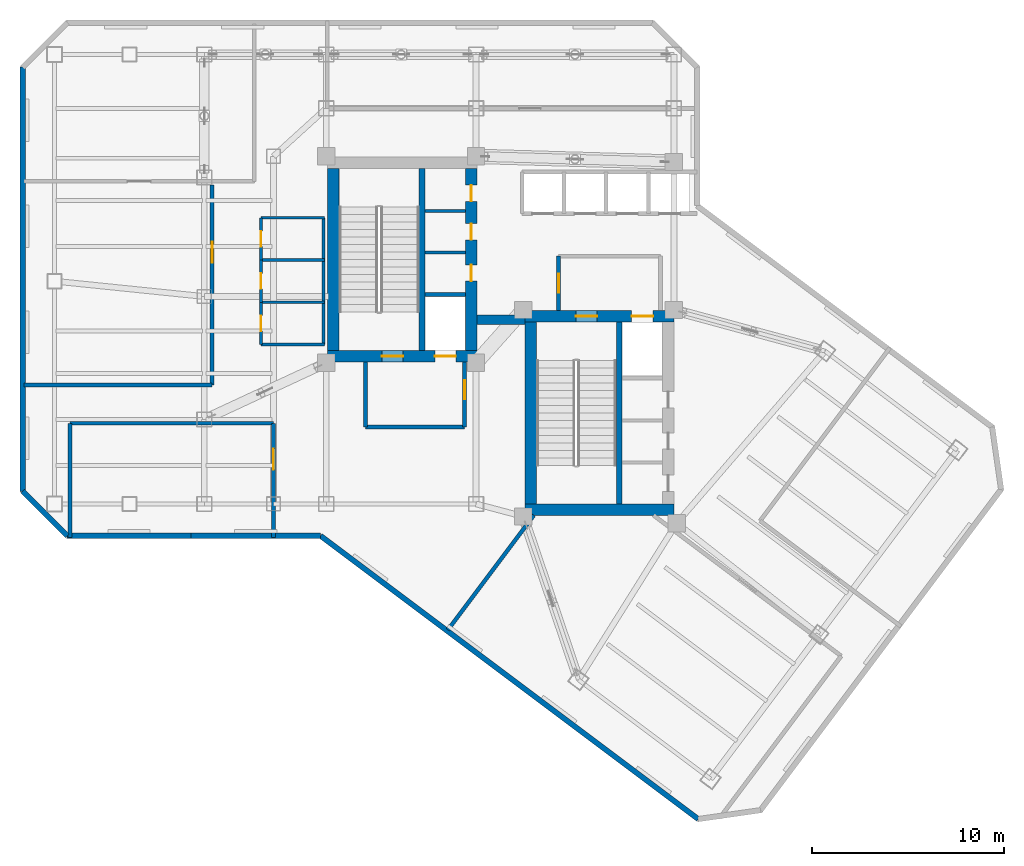
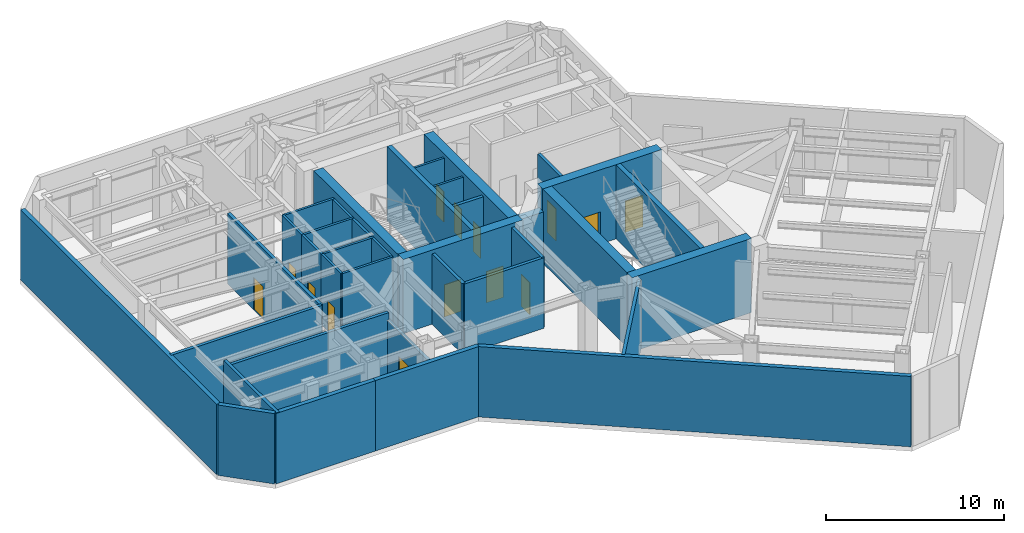
# One storey, part 7 of 12: 35 walls, 14 doors, 14 openings.
"""IFC4 building model written with IfcOpenShell, lengths in metres."""

from ifc_helpers import new_model, si_unit, direction, frame, frame_2d, origin, place, context, subcontext, project, spatial, rectangle, extrude, material, layer, layer_set, type_object, element, fill, save


model = new_model("IFC4")

# Units and contexts
model_context = context("Model", 3, precision=1e-05, world=origin(), true_north=direction((0.0, 1.0)))
body_context = subcontext(model_context, "Body", "Model", "MODEL_VIEW")
ifc_project = project(units=[si_unit("LENGTHUNIT", "METRE"), si_unit("AREAUNIT", "SQUARE_METRE"), si_unit("VOLUMEUNIT", "CUBIC_METRE"), si_unit("PLANEANGLEUNIT", "RADIAN"), si_unit("MASSUNIT", "GRAM", prefix="KILO")], contexts=[model_context])

# Site, building, storey
site_placement = place(None, origin())
site = spatial("IfcSite", under=ifc_project, at=site_placement, CompositionType="ELEMENT")
building_placement = place(site_placement, origin())
building = spatial("IfcBuilding", under=site, at=building_placement, Name="Hatsunagi Terrace Concourse", CompositionType="ELEMENT")
storey_placement = place(building_placement, frame((0.0, 0.0, 181.64990234375)))
storey = spatial("IfcBuildingStorey", under=building, at=storey_placement, Name="L48", CompositionType="ELEMENT", Elevation=181.64990234375)

# Wall
ifc_material_1 = material(Name="Concrete Fc48", Category="concrete")
ifc_layer_1 = layer(ifc_material_1, 0.5)
ifc_layer_set_1 = layer_set([ifc_layer_1], Name="BeltWall_Fc48_500")
wall_type_1 = type_object("IfcWallType", Name="BeltWall_Fc48_500", PredefinedType="SHEAR", material=ifc_layer_set_1)
wall_1_placement = place(storey_placement, frame((33.39990234375, 34.800048828125, 0.0), z_axis=(0.0, 0.0, 1.0), x_axis=(1.0, 0.0, 0.0)))
element("IfcWall", 1, at=wall_1_placement, inside=storey, type_object=wall_type_1, Name="Belt wall core link L48", PredefinedType="SHEAR", context=body_context, shape_type="SweptSolid", body=[
    extrude(rectangle(XDim=2.489990234375, YDim=0.5, at=frame_2d((1.2451171875, 0.0))), origin(), (0.0, 0.0, 1.0), 3.60009765625),
])

# Wall, openings, doors
ifc_material_2 = material(Name="Concrete Fc48", Category="concrete")
ifc_layer_2 = layer(ifc_material_2, 0.60009765625)
ifc_layer_set_2 = layer_set([ifc_layer_2], Name="CoreShearWall_Fc48_600")
wall_type_2 = type_object("IfcWallType", Name="CoreShearWall_Fc48_600", PredefinedType="SHEAR", material=ifc_layer_set_2)
wall_2_placement = place(storey_placement, frame((25.6201171875, 32.889892578125, 0.0), z_axis=(0.0, 0.0, 1.0), x_axis=(1.0, 0.0, 0.0)))
wall_2 = element("IfcWall", 2, at=wall_2_placement, inside=storey, type_object=wall_type_2, Name="Core A Shear Wall S L48", PredefinedType="SHEAR", context=body_context, shape_type="SweptSolid", body=[
    extrude(rectangle(XDim=7.77978515625, YDim=0.60009765625, at=frame_2d((3.889892578125, 0.0))), origin(), (0.0, 0.0, 1.0), 5.10009765625),
])
opening_1_placement = place(wall_2_placement, frame((2.830078125, 0.0, 0.0)))
opening_1 = element("IfcOpeningElement", 3, at=opening_1_placement, cuts=wall_2, Name="Opening DR-110S", PredefinedType="OPENING", context=body_context, shape_type="SweptSolid", body=[
    extrude(rectangle(XDim=1.10009765625, YDim=2.199951171875, at=frame_2d((0.550048828125, 1.10009765625))), frame((0.0, 0.31005859375, 0.0), z_axis=(0.0, -1.0, 0.0), x_axis=(1.0, 0.0, 0.0)), (0.0, 0.0, 1.0), 0.6201171875),
])
opening_2_placement = place(wall_2_placement, frame((5.580078125, 0.0, 0.0)))
opening_2 = element("IfcOpeningElement", 4, at=opening_2_placement, cuts=wall_2, Name="Opening LD-01", PredefinedType="OPENING", context=body_context, shape_type="SweptSolid", body=[
    extrude(rectangle(XDim=1.10009765625, YDim=2.14990234375, at=frame_2d((0.550048828125, 1.074951171875))), frame((0.0, 0.31005859375, 0.0), z_axis=(0.0, -1.0, 0.0), x_axis=(1.0, 0.0, 0.0)), (0.0, 0.0, 1.0), 0.6201171875),
])
ifc_material_3 = material(Name="Stainless steel", Category="steel")
door_type_1 = type_object("IfcDoorType", Name="LiftLandingDoor_LD01", OperationType="SLIDING_TO_LEFT", PredefinedType="USERDEFINED", material=ifc_material_3)
door_1_placement = place(opening_2_placement, origin())
door_1 = element("IfcDoor", 5, at=door_1_placement, inside=storey, type_object=door_type_1, Name="Lift landing door FF-01 L48", ObjectType="SLIDING_LANDING_DOOR", OperationType="SLIDING_TO_LEFT", OverallHeight=2.14990234375, OverallWidth=1.10009765625, PredefinedType="USERDEFINED", context=body_context, shape_type="SweptSolid", body=[
    extrude(rectangle(XDim=1.10009765625, YDim=2.14990234375, at=frame_2d((0.550048828125, 1.074951171875))), frame((0.0, 0.02490234375, 0.0), z_axis=(0.0, -1.0, 0.0), x_axis=(1.0, 0.0, 0.0)), (0.0, 0.0, 1.0), 0.050048828125),
])
fill(opening_2, door_1)
ifc_material_4 = material(Name="Painted steel", Category="steel")
door_type_2 = type_object("IfcDoorType", Name="StairFireDoor_EI60_1100", OperationType="NOTDEFINED", PredefinedType="DOOR", material=ifc_material_4)
door_2_placement = place(opening_1_placement, origin())
door_2 = element("IfcDoor", 6, at=door_2_placement, inside=storey, type_object=door_type_2, Name="Stair ST-A Exit Door L48", OperationType="SINGLE_SWING_LEFT", OverallHeight=2.199951171875, OverallWidth=1.10009765625, PredefinedType="DOOR", context=body_context, shape_type="SweptSolid", body=[
    extrude(rectangle(XDim=1.10009765625, YDim=2.199951171875, at=frame_2d((0.550048828125, 1.10009765625))), frame((0.0, 0.02490234375, 0.0), z_axis=(0.0, -1.0, 0.0), x_axis=(1.0, 0.0, 0.0)), (0.0, 0.0, 1.0), 0.050048828125),
])
fill(opening_1, door_2)

# Wall
wall_3_placement = place(storey_placement, frame((25.919921875, 33.18994140625, 0.0), z_axis=(0.0, 0.0, 1.0), x_axis=(0.0, 1.0, 0.0)))
element("IfcWall", 7, at=wall_3_placement, inside=storey, type_object=wall_type_2, Name="Core A Shear Wall W L48", PredefinedType="SHEAR", context=body_context, shape_type="SweptSolid", body=[
    extrude(rectangle(XDim=9.47998046875, YDim=0.60009765625, at=frame_2d((4.739990234375, 0.0))), origin(), (0.0, 0.0, 1.0), 5.10009765625),
])

# Wall, openings, doors
wall_4_placement = place(storey_placement, frame((33.10009765625, 33.18994140625, 0.0), z_axis=(0.0, 0.0, 1.0), x_axis=(0.0, 1.0, 0.0)))
wall_4 = element("IfcWall", 8, at=wall_4_placement, inside=storey, type_object=wall_type_2, Name="Core A Shear Wall E L48", PredefinedType="SHEAR", context=body_context, shape_type="SweptSolid", body=[
    extrude(rectangle(XDim=9.47998046875, YDim=0.60009765625, at=frame_2d((4.739990234375, 0.0))), origin(), (0.0, 0.0, 1.0), 5.10009765625),
])
opening_3_placement = place(wall_4_placement, frame((3.610107421875, 0.0, 0.0)))
opening_3 = element("IfcOpeningElement", 9, at=opening_3_placement, cuts=wall_4, Name="Opening DR-085", PredefinedType="OPENING", context=body_context, shape_type="SweptSolid", body=[
    extrude(rectangle(XDim=0.85009765625, YDim=2.080078125, at=frame_2d((0.425048828125, 1.0400390625))), frame((0.0, 0.31005859375, 0.0), z_axis=(0.0, -1.0, 0.0), x_axis=(1.0, 0.0, 0.0)), (0.0, 0.0, 1.0), 0.6201171875),
])
opening_4_placement = place(wall_4_placement, frame((5.760009765625, 0.0, 0.0)))
opening_4 = element("IfcOpeningElement", 10, at=opening_4_placement, cuts=wall_4, Name="Opening DR-085", PredefinedType="OPENING", context=body_context, shape_type="SweptSolid", body=[
    extrude(rectangle(XDim=0.85009765625, YDim=2.080078125, at=frame_2d((0.425048828125, 1.0400390625))), frame((0.0, 0.31005859375, 0.0), z_axis=(0.0, -1.0, 0.0), x_axis=(1.0, 0.0, 0.0)), (0.0, 0.0, 1.0), 0.6201171875),
])
opening_5_placement = place(wall_4_placement, frame((7.760009765625, 0.0, 0.0)))
opening_5 = element("IfcOpeningElement", 11, at=opening_5_placement, cuts=wall_4, Name="Opening DR-085", PredefinedType="OPENING", context=body_context, shape_type="SweptSolid", body=[
    extrude(rectangle(XDim=0.85009765625, YDim=2.080078125, at=frame_2d((0.425048828125, 1.0400390625))), frame((0.0, 0.31005859375, 0.0), z_axis=(0.0, -1.0, 0.0), x_axis=(1.0, 0.0, 0.0)), (0.0, 0.0, 1.0), 0.6201171875),
])
ifc_material_5 = material(Name="Painted steel", Category="steel")
door_type_3 = type_object("IfcDoorType", Name="RiserAccessDoor_EI60_850", OperationType="NOTDEFINED", PredefinedType="DOOR", material=ifc_material_5)
door_3_placement = place(opening_3_placement, origin())
door_3 = element("IfcDoor", 12, at=door_3_placement, inside=storey, type_object=door_type_3, Name="Core A Riser Door L48-1", OperationType="SINGLE_SWING_LEFT", OverallHeight=2.080078125, OverallWidth=0.85009765625, PredefinedType="DOOR", context=body_context, shape_type="SweptSolid", body=[
    extrude(rectangle(XDim=0.85009765625, YDim=2.080078125, at=frame_2d((0.425048828125, 1.0400390625))), frame((0.0, 0.02490234375, 0.0), z_axis=(0.0, -1.0, 0.0), x_axis=(1.0, 0.0, 0.0)), (0.0, 0.0, 1.0), 0.050048828125),
])
fill(opening_3, door_3)
door_4_placement = place(opening_4_placement, origin())
door_4 = element("IfcDoor", 13, at=door_4_placement, inside=storey, type_object=door_type_3, Name="Core A Riser Door L48-2", OperationType="SINGLE_SWING_LEFT", OverallHeight=2.080078125, OverallWidth=0.85009765625, PredefinedType="DOOR", context=body_context, shape_type="SweptSolid", body=[
    extrude(rectangle(XDim=0.85009765625, YDim=2.080078125, at=frame_2d((0.425048828125, 1.0400390625))), frame((0.0, 0.02490234375, 0.0), z_axis=(0.0, -1.0, 0.0), x_axis=(1.0, 0.0, 0.0)), (0.0, 0.0, 1.0), 0.050048828125),
])
fill(opening_4, door_4)
door_5_placement = place(opening_5_placement, origin())
door_5 = element("IfcDoor", 14, at=door_5_placement, inside=storey, type_object=door_type_3, Name="Core A Riser Door L48-3", OperationType="SINGLE_SWING_LEFT", OverallHeight=2.080078125, OverallWidth=0.85009765625, PredefinedType="DOOR", context=body_context, shape_type="SweptSolid", body=[
    extrude(rectangle(XDim=0.85009765625, YDim=2.080078125, at=frame_2d((0.425048828125, 1.0400390625))), frame((0.0, 0.02490234375, 0.0), z_axis=(0.0, -1.0, 0.0), x_axis=(1.0, 0.0, 0.0)), (0.0, 0.0, 1.0), 0.050048828125),
])
fill(opening_5, door_5)

# Wall
wall_5_placement = place(storey_placement, frame((35.889892578125, 24.889892578125, 0.0), z_axis=(0.0, 0.0, 1.0), x_axis=(1.0, 0.0, 0.0)))
element("IfcWall", 15, at=wall_5_placement, inside=storey, type_object=wall_type_2, Name="Core B Shear Wall S L48", PredefinedType="SHEAR", context=body_context, shape_type="SweptSolid", body=[
    extrude(rectangle(XDim=7.760009765625, YDim=0.60009765625, at=frame_2d((3.8798828125, 0.0))), origin(), (0.0, 0.0, 1.0), 5.10009765625),
])

# Wall, openings, doors
wall_6_placement = place(storey_placement, frame((35.889892578125, 34.969970703125, 0.0), z_axis=(0.0, 0.0, 1.0), x_axis=(1.0, 0.0, 0.0)))
wall_6 = element("IfcWall", 16, at=wall_6_placement, inside=storey, type_object=wall_type_2, Name="Core B Shear Wall N L48", PredefinedType="SHEAR", context=body_context, shape_type="SweptSolid", body=[
    extrude(rectangle(XDim=7.760009765625, YDim=0.60009765625, at=frame_2d((3.8798828125, 0.0))), origin(), (0.0, 0.0, 1.0), 5.10009765625),
])
opening_6_placement = place(wall_6_placement, frame((2.659912109375, 0.0, 0.0)))
opening_6 = element("IfcOpeningElement", 17, at=opening_6_placement, cuts=wall_6, Name="Opening DR-110S", PredefinedType="OPENING", context=body_context, shape_type="SweptSolid", body=[
    extrude(rectangle(XDim=1.10009765625, YDim=2.199951171875, at=frame_2d((0.550048828125, 1.10009765625))), frame((0.0, 0.31005859375, 0.0), z_axis=(0.0, -1.0, 0.0), x_axis=(1.0, 0.0, 0.0)), (0.0, 0.0, 1.0), 0.6201171875),
])
opening_7_placement = place(wall_6_placement, frame((5.56005859375, 0.0, 0.0)))
opening_7 = element("IfcOpeningElement", 18, at=opening_7_placement, cuts=wall_6, Name="Opening LD-02", PredefinedType="OPENING", context=body_context, shape_type="SweptSolid", body=[
    extrude(rectangle(XDim=1.1201171875, YDim=2.14990234375, at=frame_2d((0.56005859375, 1.074951171875))), frame((0.0, 0.31005859375, 0.0), z_axis=(0.0, -1.0, 0.0), x_axis=(1.0, 0.0, 0.0)), (0.0, 0.0, 1.0), 0.6201171875),
])
ifc_material_6 = material(Name="Stainless steel", Category="steel")
door_type_4 = type_object("IfcDoorType", Name="LiftLandingDoor_LD02", OperationType="SLIDING_TO_RIGHT", PredefinedType="USERDEFINED", material=ifc_material_6)
door_6_placement = place(opening_7_placement, origin())
door_6 = element("IfcDoor", 19, at=door_6_placement, inside=storey, type_object=door_type_4, Name="Lift landing door FF-02 L48", ObjectType="SLIDING_LANDING_DOOR", OperationType="SLIDING_TO_RIGHT", OverallHeight=2.14990234375, OverallWidth=1.1201171875, PredefinedType="USERDEFINED", context=body_context, shape_type="SweptSolid", body=[
    extrude(rectangle(XDim=1.1201171875, YDim=2.14990234375, at=frame_2d((0.56005859375, 1.074951171875))), frame((0.0, 0.02490234375, 0.0), z_axis=(0.0, -1.0, 0.0), x_axis=(1.0, 0.0, 0.0)), (0.0, 0.0, 1.0), 0.050048828125),
])
fill(opening_7, door_6)
door_7_placement = place(opening_6_placement, origin())
door_7 = element("IfcDoor", 20, at=door_7_placement, inside=storey, type_object=door_type_2, Name="Stair ST-B Exit Door L48", OperationType="SINGLE_SWING_RIGHT", OverallHeight=2.199951171875, OverallWidth=1.10009765625, PredefinedType="DOOR", context=body_context, shape_type="SweptSolid", body=[
    extrude(rectangle(XDim=1.10009765625, YDim=2.199951171875, at=frame_2d((0.550048828125, 1.10009765625))), frame((0.0, 0.02490234375, 0.0), z_axis=(0.0, -1.0, 0.0), x_axis=(1.0, 0.0, 0.0)), (0.0, 0.0, 1.0), 0.050048828125),
])
fill(opening_6, door_7)

# Walls
wall_7_placement = place(storey_placement, frame((36.18994140625, 25.18994140625, 0.0), z_axis=(0.0, 0.0, 1.0), x_axis=(0.0, 1.0, 0.0)))
element("IfcWall", 21, at=wall_7_placement, inside=storey, type_object=wall_type_2, Name="Core B Shear Wall W L48", PredefinedType="SHEAR", context=body_context, shape_type="SweptSolid", body=[
    extrude(rectangle(XDim=9.47998046875, YDim=0.60009765625, at=frame_2d((4.739990234375, 0.0))), origin(), (0.0, 0.0, 1.0), 5.10009765625),
])
ifc_material_7 = material(Name="Concrete Fc48", Category="concrete")
ifc_layer_3 = layer(ifc_material_7, 0.300048828125)
ifc_layer_set_3 = layer_set([ifc_layer_3], Name="CoreStairDivider_Fc48_300")
wall_type_3 = type_object("IfcWallType", Name="CoreStairDivider_Fc48_300", PredefinedType="SHEAR", material=ifc_layer_set_3)
for number, where, z_axis, x_axis, name in (
    (22, (30.5400390625, 33.18994140625, 0.0), (0.0, 0.0, 1.0), (0.0, 1.0, 0.0), "Core A Shear Wall D L48"),
    (23, (40.81005859375, 25.18994140625, 0.0), (0.0, 0.0, 1.0), (0.0, 1.0, 0.0), "Core B Shear Wall D L48"),
):
    element("IfcWall", number, at=place(storey_placement, frame(where, z_axis=z_axis, x_axis=x_axis)), inside=storey, type_object=wall_type_3, Name=name, PredefinedType="SHEAR", context=body_context, shape_type="SweptSolid", body=[
        extrude(rectangle(XDim=9.47998046875, YDim=0.300048828125, at=frame_2d((4.739990234375, 0.0))), origin(), (0.0, 0.0, 1.0), 5.10009765625),
    ])
ifc_material_8 = material(Name="Acoustic mineral board", Category="gypsum")
ifc_layer_4 = layer(ifc_material_8, 0.14990234375)
ifc_layer_set_4 = layer_set([ifc_layer_4], Name="PartitionWall_EI60_150")
wall_type_4 = type_object("IfcWallType", Name="PartitionWall_EI60_150", PredefinedType="PARTITIONING", material=ifc_layer_set_4)
for number, where, z_axis, x_axis, name in (
    (24, (30.699951171875, 38.300048828125, 0.0), (0.0, 0.0, 1.0), (1.0, 0.0, 0.0), "Interior Partition IW-L48-002"),
    (25, (30.699951171875, 40.449951171875, 0.0), (0.0, 0.0, 1.0), (1.0, 0.0, 0.0), "Interior Partition IW-L48-003"),
):
    element("IfcWall", number, at=place(storey_placement, frame(where, z_axis=z_axis, x_axis=x_axis)), inside=storey, type_object=wall_type_4, Name=name, PredefinedType="PARTITIONING", context=body_context, shape_type="SweptSolid", body=[
        extrude(rectangle(XDim=2.10009765625, YDim=0.14990234375, at=frame_2d((1.050048828125, 0.0))), origin(), (0.0, 0.0, 1.0), 4.840087890625),
    ])
for number, where, z_axis, x_axis, name in (
    (26, (22.14990234375, 33.5, 0.0), (0.0, 0.0, 1.0), (1.0, 0.0, 0.0), "Interior Partition IW-L48-019"),
    (27, (22.14990234375, 40.10009765625, 0.0), (0.0, 0.0, 1.0), (1.0, 0.0, 0.0), "Interior Partition IW-L48-020"),
):
    element("IfcWall", number, at=place(storey_placement, frame(where, z_axis=z_axis, x_axis=x_axis)), inside=storey, type_object=wall_type_4, Name=name, PredefinedType="PARTITIONING", context=body_context, shape_type="SweptSolid", body=[
        extrude(rectangle(XDim=3.300048828125, YDim=0.14990234375, at=frame_2d((1.64990234375, 0.0))), origin(), (0.0, 0.0, 1.0), 4.840087890625),
    ])
wall_8_placement = place(storey_placement, frame((25.39990234375, 33.5, 0.0), z_axis=(0.0, 0.0, 1.0), x_axis=(0.0, 1.0, 0.0)))
element("IfcWall", 28, at=wall_8_placement, inside=storey, type_object=wall_type_4, Name="Interior Partition IW-L48-021", PredefinedType="PARTITIONING", context=body_context, shape_type="SweptSolid", body=[
    extrude(rectangle(XDim=6.60009765625, YDim=0.14990234375, at=frame_2d((3.300048828125, 0.0))), origin(), (0.0, 0.0, 1.0), 4.840087890625),
])
for number, where, z_axis, x_axis, name in (
    (29, (22.14990234375, 35.699951171875, 0.0), (0.0, 0.0, 1.0), (1.0, 0.0, 0.0), "Interior Partition IW-L48-022"),
    (30, (22.14990234375, 37.89990234375, 0.0), (0.0, 0.0, 1.0), (1.0, 0.0, 0.0), "Interior Partition IW-L48-023"),
):
    element("IfcWall", number, at=place(storey_placement, frame(where, z_axis=z_axis, x_axis=x_axis)), inside=storey, type_object=wall_type_4, Name=name, PredefinedType="PARTITIONING", context=body_context, shape_type="SweptSolid", body=[
        extrude(rectangle(XDim=3.300048828125, YDim=0.14990234375, at=frame_2d((1.64990234375, 0.0))), origin(), (0.0, 0.0, 1.0), 4.840087890625),
    ])

# Wall, opening, door
wall_9_placement = place(storey_placement, frame((22.14990234375, 33.5, 0.0), z_axis=(0.0, 0.0, 1.0), x_axis=(0.0, 1.0, 0.0)))
wall_9 = element("IfcWall", 31, at=wall_9_placement, inside=storey, type_object=wall_type_4, Name="Interior Partition IW-L48-024", PredefinedType="PARTITIONING", context=body_context, shape_type="SweptSolid", body=[
    extrude(rectangle(XDim=2.199951171875, YDim=0.14990234375, at=frame_2d((1.10009765625, 0.0))), origin(), (0.0, 0.0, 1.0), 4.840087890625),
])
opening_8_placement = place(wall_9_placement, frame((0.699951171875, 0.0, 0.0)))
opening_8 = element("IfcOpeningElement", 32, at=opening_8_placement, cuts=wall_9, Name="Opening DR-080", PredefinedType="OPENING", context=body_context, shape_type="SweptSolid", body=[
    extrude(rectangle(XDim=0.800048828125, YDim=2.06005859375, at=frame_2d((0.39990234375, 1.030029296875))), frame((0.0, 0.0849609375, 0.0), z_axis=(0.0, -1.0, 0.0), x_axis=(1.0, 0.0, 0.0)), (0.0, 0.0, 1.0), 0.169921875),
])
ifc_material_9 = material(Name="Hardwood timber", Category="wood")
door_type_5 = type_object("IfcDoorType", Name="BathroomDoor_800", OperationType="NOTDEFINED", PredefinedType="DOOR", material=ifc_material_9)
door_8_placement = place(opening_8_placement, origin())
door_8 = element("IfcDoor", 33, at=door_8_placement, inside=storey, type_object=door_type_5, Name="Accessible WC Door L48", OperationType="SINGLE_SWING_RIGHT", OverallHeight=2.06005859375, OverallWidth=0.800048828125, PredefinedType="DOOR", context=body_context, shape_type="SweptSolid", body=[
    extrude(rectangle(XDim=0.800048828125, YDim=2.06005859375, at=frame_2d((0.39990234375, 1.030029296875))), frame((0.0, 0.02490234375, 0.0), z_axis=(0.0, -1.0, 0.0), x_axis=(1.0, 0.0, 0.0)), (0.0, 0.0, 1.0), 0.050048828125),
])
fill(opening_8, door_8)

wall_10_placement = place(storey_placement, frame((22.14990234375, 35.699951171875, 0.0), z_axis=(0.0, 0.0, 1.0), x_axis=(0.0, 1.0, 0.0)))
wall_10 = element("IfcWall", 34, at=wall_10_placement, inside=storey, type_object=wall_type_4, Name="Interior Partition IW-L48-025", PredefinedType="PARTITIONING", context=body_context, shape_type="SweptSolid", body=[
    extrude(rectangle(XDim=2.199951171875, YDim=0.14990234375, at=frame_2d((1.10009765625, 0.0))), origin(), (0.0, 0.0, 1.0), 4.840087890625),
])
opening_9_placement = place(wall_10_placement, frame((0.699951171875, 0.0, 0.0)))
opening_9 = element("IfcOpeningElement", 35, at=opening_9_placement, cuts=wall_10, Name="Opening DR-080", PredefinedType="OPENING", context=body_context, shape_type="SweptSolid", body=[
    extrude(rectangle(XDim=0.800048828125, YDim=2.06005859375, at=frame_2d((0.39990234375, 1.030029296875))), frame((0.0, 0.0849609375, 0.0), z_axis=(0.0, -1.0, 0.0), x_axis=(1.0, 0.0, 0.0)), (0.0, 0.0, 1.0), 0.169921875),
])
door_9_placement = place(opening_9_placement, origin())
door_9 = element("IfcDoor", 36, at=door_9_placement, inside=storey, type_object=door_type_5, Name="Female Restroom Door L48", OperationType="SINGLE_SWING_RIGHT", OverallHeight=2.06005859375, OverallWidth=0.800048828125, PredefinedType="DOOR", context=body_context, shape_type="SweptSolid", body=[
    extrude(rectangle(XDim=0.800048828125, YDim=2.06005859375, at=frame_2d((0.39990234375, 1.030029296875))), frame((0.0, 0.02490234375, 0.0), z_axis=(0.0, -1.0, 0.0), x_axis=(1.0, 0.0, 0.0)), (0.0, 0.0, 1.0), 0.050048828125),
])
fill(opening_9, door_9)

wall_11_placement = place(storey_placement, frame((22.14990234375, 37.89990234375, 0.0), z_axis=(0.0, 0.0, 1.0), x_axis=(0.0, 1.0, 0.0)))
wall_11 = element("IfcWall", 37, at=wall_11_placement, inside=storey, type_object=wall_type_4, Name="Interior Partition IW-L48-026", PredefinedType="PARTITIONING", context=body_context, shape_type="SweptSolid", body=[
    extrude(rectangle(XDim=2.2001953125, YDim=0.14990234375, at=frame_2d((1.10009765625, 0.0))), origin(), (0.0, 0.0, 1.0), 4.840087890625),
])
opening_10_placement = place(wall_11_placement, frame((0.699951171875, 0.0, 0.0)))
opening_10 = element("IfcOpeningElement", 38, at=opening_10_placement, cuts=wall_11, Name="Opening DR-080", PredefinedType="OPENING", context=body_context, shape_type="SweptSolid", body=[
    extrude(rectangle(XDim=0.800048828125, YDim=2.06005859375, at=frame_2d((0.39990234375, 1.030029296875))), frame((0.0, 0.0849609375, 0.0), z_axis=(0.0, -1.0, 0.0), x_axis=(1.0, 0.0, 0.0)), (0.0, 0.0, 1.0), 0.169921875),
])
door_10_placement = place(opening_10_placement, origin())
door_10 = element("IfcDoor", 39, at=door_10_placement, inside=storey, type_object=door_type_5, Name="Male Restroom Door L48", OperationType="SINGLE_SWING_RIGHT", OverallHeight=2.06005859375, OverallWidth=0.800048828125, PredefinedType="DOOR", context=body_context, shape_type="SweptSolid", body=[
    extrude(rectangle(XDim=0.800048828125, YDim=2.06005859375, at=frame_2d((0.39990234375, 1.030029296875))), frame((0.0, 0.02490234375, 0.0), z_axis=(0.0, -1.0, 0.0), x_axis=(1.0, 0.0, 0.0)), (0.0, 0.0, 1.0), 0.050048828125),
])
fill(opening_10, door_10)

# Walls
ifc_material_10 = material(Name="Acoustic mineral board", Category="gypsum")
ifc_layer_5 = layer(ifc_material_10, 0.199951171875)
ifc_layer_set_5 = layer_set([ifc_layer_5], Name="ShaftWall_EI120_200")
wall_type_5 = type_object("IfcWallType", Name="ShaftWall_EI120_200", PredefinedType="STANDARD", material=ifc_layer_set_5)
wall_12_placement = place(storey_placement, frame((30.699951171875, 36.10009765625, 0.0), z_axis=(0.0, 0.0, 1.0), x_axis=(1.0, 0.0, 0.0)))
element("IfcWall", 40, at=wall_12_placement, inside=storey, type_object=wall_type_5, Name="Interior Partition IW-L48-001", PredefinedType="STANDARD", context=body_context, shape_type="SweptSolid", body=[
    extrude(rectangle(XDim=2.10009765625, YDim=0.199951171875, at=frame_2d((1.050048828125, 0.0))), origin(), (0.0, 0.0, 1.0), 4.840087890625),
])
wall_13_placement = place(storey_placement, frame((27.60009765625, 29.199951171875, 0.0), z_axis=(0.0, 0.0, 1.0), x_axis=(1.0, 0.0, 0.0)))
element("IfcWall", 41, at=wall_13_placement, inside=storey, type_object=wall_type_5, Name="Interior Partition IW-L48-007", PredefinedType="STANDARD", context=body_context, shape_type="SweptSolid", body=[
    extrude(rectangle(XDim=5.14990234375, YDim=0.199951171875, at=frame_2d((2.574951171875, 0.0))), origin(), (0.0, 0.0, 1.0), 4.840087890625),
])
wall_14_placement = place(storey_placement, frame((27.60009765625, 29.199951171875, 0.0), z_axis=(0.0, 0.0, 1.0), x_axis=(0.0, 1.0, 0.0)))
element("IfcWall", 42, at=wall_14_placement, inside=storey, type_object=wall_type_5, Name="Interior Partition IW-L48-008", PredefinedType="STANDARD", context=body_context, shape_type="SweptSolid", body=[
    extrude(rectangle(XDim=3.39013671875, YDim=0.199951171875, at=frame_2d((1.695068359375, 0.0))), origin(), (0.0, 0.0, 1.0), 4.840087890625),
])

# Wall, opening, door
wall_15_placement = place(storey_placement, frame((32.75, 29.199951171875, 0.0), z_axis=(0.0, 0.0, 1.0), x_axis=(0.0, 1.0, 0.0)))
wall_15 = element("IfcWall", 43, at=wall_15_placement, inside=storey, type_object=wall_type_5, Name="Interior Partition IW-L48-009", PredefinedType="STANDARD", context=body_context, shape_type="SweptSolid", body=[
    extrude(rectangle(XDim=3.39013671875, YDim=0.199951171875, at=frame_2d((1.695068359375, 0.0))), origin(), (0.0, 0.0, 1.0), 4.840087890625),
])
opening_11_placement = place(wall_15_placement, frame((1.449951171875, 0.0, 0.0)))
opening_11 = element("IfcOpeningElement", 44, at=opening_11_placement, cuts=wall_15, Name="Opening DR-100F", PredefinedType="OPENING", context=body_context, shape_type="SweptSolid", body=[
    extrude(rectangle(XDim=1.0, YDim=2.199951171875, at=frame_2d((0.5, 1.10009765625))), frame((0.0, 0.10986328125, 0.0), z_axis=(0.0, -1.0, 0.0), x_axis=(1.0, 0.0, 0.0)), (0.0, 0.0, 1.0), 0.219970703125),
])
ifc_material_11 = material(Name="Painted steel", Category="steel")
door_type_6 = type_object("IfcDoorType", Name="FireDoor_EI60_1000", OperationType="NOTDEFINED", PredefinedType="DOOR", material=ifc_material_11)
door_11_placement = place(opening_11_placement, origin())
door_11 = element("IfcDoor", 45, at=door_11_placement, inside=storey, type_object=door_type_6, Name="Firefighting Lobby A Door L48", OperationType="SINGLE_SWING_RIGHT", OverallHeight=2.199951171875, OverallWidth=1.0, PredefinedType="DOOR", context=body_context, shape_type="SweptSolid", body=[
    extrude(rectangle(XDim=1.0, YDim=2.199951171875, at=frame_2d((0.5, 1.10009765625))), frame((0.0, 0.02490234375, 0.0), z_axis=(0.0, -1.0, 0.0), x_axis=(1.0, 0.0, 0.0)), (0.0, 0.0, 1.0), 0.050048828125),
])
fill(opening_11, door_11)

wall_16_placement = place(storey_placement, frame((37.64990234375, 35.27001953125, 0.0), z_axis=(0.0, 0.0, 1.0), x_axis=(0.0, 1.0, 0.0)))
wall_16 = element("IfcWall", 46, at=wall_16_placement, inside=storey, type_object=wall_type_5, Name="Interior Partition IW-L48-012", PredefinedType="STANDARD", context=body_context, shape_type="SweptSolid", body=[
    extrude(rectangle(XDim=2.830078125, YDim=0.199951171875, at=frame_2d((1.4150390625, 0.0))), origin(), (0.0, 0.0, 1.0), 4.840087890625),
])
opening_12_placement = place(wall_16_placement, frame((0.9150390625, 0.0, 0.0)))
opening_12 = element("IfcOpeningElement", 47, at=opening_12_placement, cuts=wall_16, Name="Opening DR-100F", PredefinedType="OPENING", context=body_context, shape_type="SweptSolid", body=[
    extrude(rectangle(XDim=1.0, YDim=2.199951171875, at=frame_2d((0.5, 1.10009765625))), frame((0.0, 0.10986328125, 0.0), z_axis=(0.0, -1.0, 0.0), x_axis=(1.0, 0.0, 0.0)), (0.0, 0.0, 1.0), 0.219970703125),
])
door_12_placement = place(opening_12_placement, origin())
door_12 = element("IfcDoor", 48, at=door_12_placement, inside=storey, type_object=door_type_6, Name="Firefighting Lobby B Door L48", OperationType="SINGLE_SWING_RIGHT", OverallHeight=2.199951171875, OverallWidth=1.0, PredefinedType="DOOR", context=body_context, shape_type="SweptSolid", body=[
    extrude(rectangle(XDim=1.0, YDim=2.199951171875, at=frame_2d((0.5, 1.10009765625))), frame((0.0, 0.02490234375, 0.0), z_axis=(0.0, -1.0, 0.0), x_axis=(1.0, 0.0, 0.0)), (0.0, 0.0, 1.0), 0.050048828125),
])
fill(opening_12, door_12)

# Walls
wall_17_placement = place(storey_placement, frame((12.199951171875, 29.39990234375, 0.0), z_axis=(0.0, 0.0, 1.0), x_axis=(1.0, 0.0, 0.0)))
element("IfcWall", 49, at=wall_17_placement, inside=storey, type_object=wall_type_5, Name="Interior Partition IW-L48-027", PredefinedType="STANDARD", context=body_context, shape_type="SweptSolid", body=[
    extrude(rectangle(XDim=10.60009765625, YDim=0.199951171875, at=frame_2d((5.300048828125, 0.0))), origin(), (0.0, 0.0, 1.0), 4.445068359375),
])
wall_18_placement = place(storey_placement, frame((12.199951171875, 23.43994140625, 0.0), z_axis=(0.0, 0.0, 1.0), x_axis=(0.0, 1.0, 0.0)))
element("IfcWall", 50, at=wall_18_placement, inside=storey, type_object=wall_type_5, Name="Interior Partition IW-L48-028", PredefinedType="STANDARD", context=body_context, shape_type="SweptSolid", body=[
    extrude(rectangle(XDim=5.9599609375, YDim=0.199951171875, at=frame_2d((2.97998046875, 0.0))), origin(), (0.0, 0.0, 1.0), 4.840087890625),
])

# Wall, opening, door
wall_19_placement = place(storey_placement, frame((22.800048828125, 23.43994140625, 0.0), z_axis=(0.0, 0.0, 1.0), x_axis=(0.0, 1.0, 0.0)))
wall_19 = element("IfcWall", 51, at=wall_19_placement, inside=storey, type_object=wall_type_5, Name="Interior Partition IW-L48-029", PredefinedType="STANDARD", context=body_context, shape_type="SweptSolid", body=[
    extrude(rectangle(XDim=5.9599609375, YDim=0.199951171875, at=frame_2d((2.97998046875, 0.0))), origin(), (0.0, 0.0, 1.0), 3.945068359375),
])
opening_13_placement = place(wall_19_placement, frame((3.537109375, 0.0, 0.0)))
opening_13 = element("IfcOpeningElement", 52, at=opening_13_placement, cuts=wall_19, Name="Opening DR-110F", PredefinedType="OPENING", context=body_context, shape_type="SweptSolid", body=[
    extrude(rectangle(XDim=1.10009765625, YDim=2.239990234375, at=frame_2d((0.550048828125, 1.1201171875))), frame((0.0, 0.10986328125, 0.0), z_axis=(0.0, -1.0, 0.0), x_axis=(1.0, 0.0, 0.0)), (0.0, 0.0, 1.0), 0.219970703125),
])
ifc_material_12 = material(Name="Painted steel", Category="steel")
door_type_7 = type_object("IfcDoorType", Name="FireDoor_EI60_1100", OperationType="NOTDEFINED", PredefinedType="DOOR", material=ifc_material_12)
door_13_placement = place(opening_13_placement, origin())
door_13 = element("IfcDoor", 53, at=door_13_placement, inside=storey, type_object=door_type_7, Name="Refuge Area L48-REF1 Door", OperationType="SINGLE_SWING_LEFT", OverallHeight=2.239990234375, OverallWidth=1.10009765625, PredefinedType="DOOR", context=body_context, shape_type="SweptSolid", body=[
    extrude(rectangle(XDim=1.10009765625, YDim=2.239990234375, at=frame_2d((0.550048828125, 1.1201171875))), frame((0.0, 0.02490234375, 0.0), z_axis=(0.0, -1.0, 0.0), x_axis=(1.0, 0.0, 0.0)), (0.0, 0.0, 1.0), 0.050048828125),
])
fill(opening_13, door_13)

# Walls
wall_20_placement = place(storey_placement, frame((31.8798828125, 18.639892578125, 0.0), z_axis=(0.0, 0.0, 1.0), x_axis=(0.600031404518, 0.799976445648, 0.0)))
element("IfcWall", 54, at=wall_20_placement, inside=storey, type_object=wall_type_5, Name="Interior Partition IW-L48-037", PredefinedType="STANDARD", context=body_context, shape_type="SweptSolid", body=[
    extrude(rectangle(XDim=7.462890625, YDim=0.199951171875, at=frame_2d((3.7314453125, 0.0))), origin(), (0.0, 0.0, 1.0), 4.840087890625),
])
wall_21_placement = place(storey_placement, frame((9.800048828125, 31.39990234375, 0.0), z_axis=(0.0, 0.0, 1.0), x_axis=(1.0, 0.0, 0.0)))
element("IfcWall", 55, at=wall_21_placement, inside=storey, type_object=wall_type_5, Name="Interior Partition IW-L48-039", PredefinedType="STANDARD", context=body_context, shape_type="SweptSolid", body=[
    extrude(rectangle(XDim=9.800048828125, YDim=0.199951171875, at=frame_2d((4.89990234375, 0.0))), origin(), (0.0, 0.0, 1.0), 4.840087890625),
])

# Wall, opening, door
wall_22_placement = place(storey_placement, frame((19.60009765625, 31.39990234375, 0.0), z_axis=(0.0, 0.0, 1.0), x_axis=(0.0, 1.0, 0.0)))
wall_22 = element("IfcWall", 56, at=wall_22_placement, inside=storey, type_object=wall_type_5, Name="Interior Partition IW-L48-040", PredefinedType="STANDARD", context=body_context, shape_type="SweptSolid", body=[
    extrude(rectangle(XDim=10.400146484375, YDim=0.199951171875, at=frame_2d((5.2001953125, 0.0))), origin(), (0.0, 0.0, 1.0), 4.840087890625),
])
opening_14_placement = place(wall_22_placement, frame((6.35791015625, 0.0, 0.0)))
opening_14 = element("IfcOpeningElement", 57, at=opening_14_placement, cuts=wall_22, Name="Opening DR-110F", PredefinedType="OPENING", context=body_context, shape_type="SweptSolid", body=[
    extrude(rectangle(XDim=1.10009765625, YDim=2.239990234375, at=frame_2d((0.550048828125, 1.1201171875))), frame((0.0, 0.10986328125, 0.0), z_axis=(0.0, -1.0, 0.0), x_axis=(1.0, 0.0, 0.0)), (0.0, 0.0, 1.0), 0.219970703125),
])
door_14_placement = place(opening_14_placement, origin())
door_14 = element("IfcDoor", 58, at=door_14_placement, inside=storey, type_object=door_type_7, Name="Electrical Switch Room L48-ELR Door", OperationType="SINGLE_SWING_RIGHT", OverallHeight=2.239990234375, OverallWidth=1.10009765625, PredefinedType="DOOR", context=body_context, shape_type="SweptSolid", body=[
    extrude(rectangle(XDim=1.10009765625, YDim=2.239990234375, at=frame_2d((0.550048828125, 1.1201171875))), frame((0.0, 0.02490234375, 0.0), z_axis=(0.0, -1.0, 0.0), x_axis=(1.0, 0.0, 0.0)), (0.0, 0.0, 1.0), 0.050048828125),
])
fill(opening_14, door_14)

# Walls
ifc_material_13 = material(Name="Autoclaved Lightweight Concrete and Terracotta Cladding", Category="masonry")
ifc_layer_6 = layer(ifc_material_13, 0.280029296875)
ifc_layer_set_6 = layer_set([ifc_layer_6], Name="TerracottaSpandrelWall_280")
wall_type_6 = type_object("IfcWallType", Name="TerracottaSpandrelWall_280", PredefinedType="STANDARD", material=ifc_layer_set_6)
wall_23_placement = place(storey_placement, frame((44.91796875, 8.787109375, 0.0), z_axis=(0.0, 0.0, 1.0), x_axis=(-0.800004765927, 0.599993645378, 0.0)))
element("IfcWall", 59, at=wall_23_placement, inside=storey, type_object=wall_type_6, Name="Exterior Spandrel Wall EW-L48-05", PredefinedType="STANDARD", context=body_context, shape_type="SweptSolid", body=[
    extrude(rectangle(XDim=24.58837890625, YDim=0.280029296875, at=frame_2d((12.294189453125, 0.0))), origin(), (0.0, 0.0, 1.0), 4.840087890625),
])
wall_24_placement = place(storey_placement, frame((25.2470703125, 23.5400390625, 0.0), z_axis=(0.0, 0.0, 1.0), x_axis=(-1.0, 0.0, 0.0)))
element("IfcWall", 60, at=wall_24_placement, inside=storey, type_object=wall_type_6, Name="Exterior Spandrel Wall EW-L48-06", PredefinedType="STANDARD", context=body_context, shape_type="SweptSolid", body=[
    extrude(rectangle(XDim=6.7470703125, YDim=0.280029296875, at=frame_2d((3.37353515625, 0.0))), origin(), (0.0, 0.0, 1.0), 4.840087890625),
])
wall_25_placement = place(storey_placement, frame((18.5, 23.5400390625, 0.0), z_axis=(0.0, 0.0, 1.0), x_axis=(-1.0, 0.0, 0.0)))
element("IfcWall", 61, at=wall_25_placement, inside=storey, type_object=wall_type_6, Name="Exterior Spandrel Wall EW-L48-07", PredefinedType="STANDARD", context=body_context, shape_type="SweptSolid", body=[
    extrude(rectangle(XDim=6.44189453125, YDim=0.280029296875, at=frame_2d((3.220947265625, 0.0))), origin(), (0.0, 0.0, 1.0), 4.840087890625),
])
wall_26_placement = place(storey_placement, frame((12.05810546875, 23.5400390625, 0.0), z_axis=(0.0, 0.0, 1.0), x_axis=(-0.707144017911, 0.707069542501, 0.0)))
element("IfcWall", 62, at=wall_26_placement, inside=storey, type_object=wall_type_6, Name="Exterior Spandrel Wall EW-L48-08", PredefinedType="STANDARD", context=body_context, shape_type="SweptSolid", body=[
    extrude(rectangle(XDim=3.278076171875, YDim=0.280029296875, at=frame_2d((1.63916015625, 0.0))), origin(), (0.0, 0.0, 1.0), 4.840087890625),
])
wall_27_placement = place(storey_placement, frame((9.739990234375, 25.85791015625, 0.0), z_axis=(0.0, 0.0, 1.0), x_axis=(0.0, 1.0, 0.0)))
element("IfcWall", 63, at=wall_27_placement, inside=storey, type_object=wall_type_6, Name="Exterior Spandrel Wall EW-L48-09", PredefinedType="STANDARD", context=body_context, shape_type="SweptSolid", body=[
    extrude(rectangle(XDim=22.083984375, YDim=0.280029296875, at=frame_2d((11.0419921875, 0.0))), origin(), (0.0, 0.0, 1.0), 4.840087890625),
])

save(model, "model.ifc")
